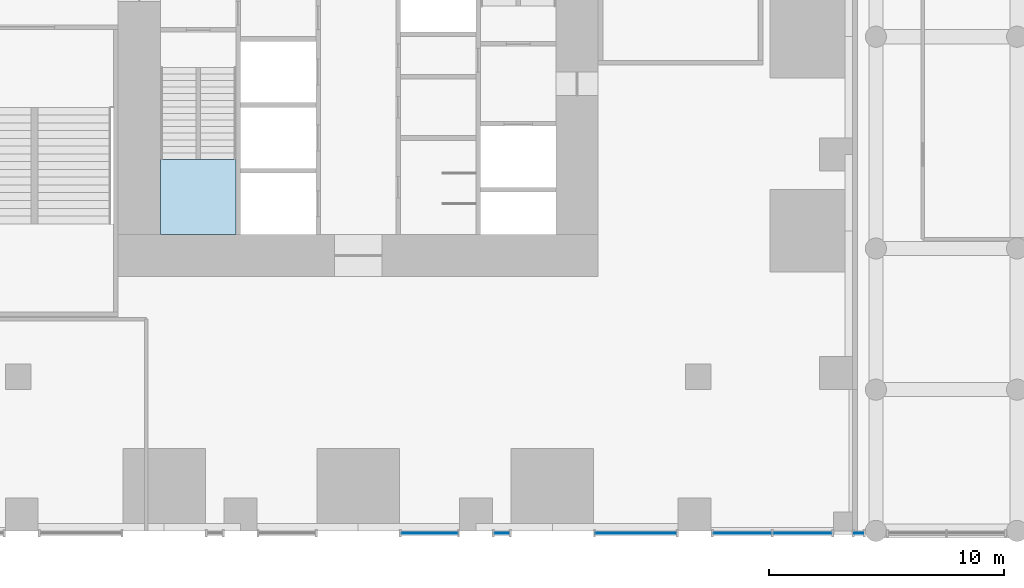
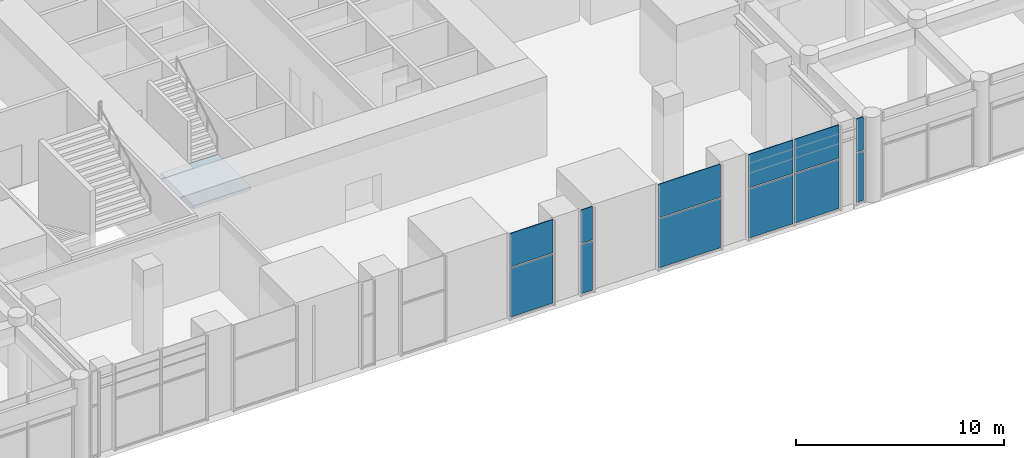
# One storey, part 12 of 23: 12 plates, 1 slab, 6 elements without a shape of their own.
"""IFC4 building model written with IfcOpenShell, lengths in metres."""

from ifc_helpers import new_model, si_unit, direction, frame, origin, origin_2d, place, context, subcontext, project, spatial, polyline, rectangle, outline, extrude, material, layer, layer_set, type_object, element, aggregate, save


model = new_model("IFC4")

# Units and contexts
model_context = context("Model", 3, precision=1e-05, world=origin(), true_north=direction((0.0, 1.0)))
body_context = subcontext(model_context, "Body", "Model", "MODEL_VIEW")
ifc_project = project(units=[si_unit("LENGTHUNIT", "METRE"), si_unit("AREAUNIT", "SQUARE_METRE"), si_unit("VOLUMEUNIT", "CUBIC_METRE"), si_unit("PLANEANGLEUNIT", "RADIAN"), si_unit("MASSUNIT", "GRAM", prefix="KILO")], contexts=[model_context])

# Site, building, storey
site_placement = place(None, origin())
site = spatial("IfcSite", under=ifc_project, at=site_placement, CompositionType="ELEMENT")
building_placement = place(site_placement, origin())
building = spatial("IfcBuilding", under=site, at=building_placement, Name="Svetlomir Tower", CompositionType="ELEMENT")
storey_placement = place(building_placement, frame((0.0, 0.0, 6.0)))
storey = spatial("IfcBuildingStorey", under=building, at=storey_placement, Name="L01", CompositionType="ELEMENT", Elevation=6.0)

# Curtain wall, plates
ifc_material_1 = material(Name="Bronze anodised aluminium curtain wall", Category="aluminium")
curtain_wall_type = type_object("IfcCurtainWallType", Name="CURTAIN WALL CW5 PODIUM", PredefinedType="NOTDEFINED", material=ifc_material_1)
curtain_wall_1_placement = place(storey_placement, origin())
curtain_wall_1 = element("IfcCurtainWall", 1, at=curtain_wall_1_placement, inside=storey, type_object=curtain_wall_type, Name="Curtain wall CW5 L01", PredefinedType="NOTDEFINED")
ifc_material_2 = material(Name="Tinted double glazed unit", Category="glass")
ifc_layer_1 = layer(ifc_material_2, 0.0400390625)
ifc_layer_set_1 = layer_set([ifc_layer_1], Name="Tinted double glazed unit")
plate_type = type_object("IfcPlateType", Name="CW5 GLAZED PANEL 40", PredefinedType="CURTAIN_PANEL", material=ifc_layer_set_1)
plate_1_placement = place(storey_placement, frame((24.02490234375, -0.10009765625, 0.080078125), z_axis=(0.0, 0.0, 1.0), x_axis=(1.0, 0.0, 0.0)))
plate_1 = element("IfcPlate", 2, at=plate_1_placement, type_object=plate_type, Name="CW5 panel 1.1", PredefinedType="CURTAIN_PANEL", context=body_context, shape_type="SweptSolid", body=[
    extrude(rectangle(XDim=2.389892578125, YDim=0.0400390625, at=origin_2d()), origin(), (0.0, 0.0, 1.0), 2.8798828125),
])
plate_2_placement = place(storey_placement, frame((24.02490234375, -0.10009765625, 3.0400390625), z_axis=(0.0, 0.0, 1.0), x_axis=(1.0, 0.0, 0.0)))
plate_2 = element("IfcPlate", 3, at=plate_2_placement, type_object=plate_type, Name="CW5 panel 1.2", PredefinedType="CURTAIN_PANEL", context=body_context, shape_type="SweptSolid", body=[
    extrude(rectangle(XDim=2.389892578125, YDim=0.0400390625, at=origin_2d()), origin(), (0.0, 0.0, 1.0), 1.9599609375),
])
aggregate(curtain_wall_1, [plate_1, plate_2])

curtain_wall_2_placement = place(storey_placement, origin())
curtain_wall_2 = element("IfcCurtainWall", 4, at=curtain_wall_2_placement, inside=storey, type_object=curtain_wall_type, Name="Curtain wall CW5 L01", PredefinedType="NOTDEFINED")
plate_3_placement = place(storey_placement, frame((27.10009765625, -0.10009765625, 0.080078125), z_axis=(0.0, 0.0, 1.0), x_axis=(1.0, 0.0, 0.0)))
plate_3 = element("IfcPlate", 5, at=plate_3_placement, type_object=plate_type, Name="CW5 panel 1.1", PredefinedType="CURTAIN_PANEL", context=body_context, shape_type="SweptSolid", body=[
    extrude(rectangle(XDim=0.639892578125, YDim=0.0400390625, at=origin_2d()), origin(), (0.0, 0.0, 1.0), 2.8798828125),
])
plate_4_placement = place(storey_placement, frame((27.10009765625, -0.10009765625, 3.0400390625), z_axis=(0.0, 0.0, 1.0), x_axis=(1.0, 0.0, 0.0)))
plate_4 = element("IfcPlate", 6, at=plate_4_placement, type_object=plate_type, Name="CW5 panel 1.2", PredefinedType="CURTAIN_PANEL", context=body_context, shape_type="SweptSolid", body=[
    extrude(rectangle(XDim=0.639892578125, YDim=0.0400390625, at=origin_2d()), origin(), (0.0, 0.0, 1.0), 1.9599609375),
])
aggregate(curtain_wall_2, [plate_3, plate_4])

curtain_wall_3_placement = place(storey_placement, origin())
curtain_wall_3 = element("IfcCurtainWall", 7, at=curtain_wall_3_placement, inside=storey, type_object=curtain_wall_type, Name="Curtain wall CW5 L01", PredefinedType="NOTDEFINED")
plate_5_placement = place(storey_placement, frame((32.800048828125, -0.10009765625, 0.080078125), z_axis=(0.0, 0.0, 1.0), x_axis=(1.0, 0.0, 0.0)))
plate_5 = element("IfcPlate", 8, at=plate_5_placement, type_object=plate_type, Name="CW5 panel 1.1", PredefinedType="CURTAIN_PANEL", context=body_context, shape_type="SweptSolid", body=[
    extrude(rectangle(XDim=3.43994140625, YDim=0.0400390625, at=origin_2d()), origin(), (0.0, 0.0, 1.0), 2.8798828125),
])
plate_6_placement = place(storey_placement, frame((32.800048828125, -0.10009765625, 3.0400390625), z_axis=(0.0, 0.0, 1.0), x_axis=(1.0, 0.0, 0.0)))
plate_6 = element("IfcPlate", 9, at=plate_6_placement, type_object=plate_type, Name="CW5 panel 1.2", PredefinedType="CURTAIN_PANEL", context=body_context, shape_type="SweptSolid", body=[
    extrude(rectangle(XDim=3.43994140625, YDim=0.0400390625, at=origin_2d()), origin(), (0.0, 0.0, 1.0), 1.9599609375),
])
aggregate(curtain_wall_3, [plate_5, plate_6])

curtain_wall_4_placement = place(storey_placement, origin())
curtain_wall_4 = element("IfcCurtainWall", 10, at=curtain_wall_4_placement, inside=storey, type_object=curtain_wall_type, Name="Curtain wall CW5 L01", PredefinedType="NOTDEFINED")
plate_7_placement = place(storey_placement, frame((37.320068359375, -0.10009765625, 0.080078125), z_axis=(0.0, 0.0, 1.0), x_axis=(1.0, 0.0, 0.0)))
plate_7 = element("IfcPlate", 11, at=plate_7_placement, type_object=plate_type, Name="CW5 panel 1.1", PredefinedType="CURTAIN_PANEL", context=body_context, shape_type="SweptSolid", body=[
    extrude(rectangle(XDim=2.47998046875, YDim=0.0400390625, at=origin_2d()), origin(), (0.0, 0.0, 1.0), 2.8798828125),
])
plate_8_placement = place(storey_placement, frame((37.320068359375, -0.10009765625, 3.0400390625), z_axis=(0.0, 0.0, 1.0), x_axis=(1.0, 0.0, 0.0)))
plate_8 = element("IfcPlate", 12, at=plate_8_placement, type_object=plate_type, Name="CW5 panel 1.2", PredefinedType="CURTAIN_PANEL", context=body_context, shape_type="SweptSolid", body=[
    extrude(rectangle(XDim=2.47998046875, YDim=0.0400390625, at=origin_2d()), origin(), (0.0, 0.0, 1.0), 1.9599609375),
])
plate_9_placement = place(storey_placement, frame((39.8798828125, -0.10009765625, 0.080078125), z_axis=(0.0, 0.0, 1.0), x_axis=(1.0, 0.0, 0.0)))
plate_9 = element("IfcPlate", 13, at=plate_9_placement, type_object=plate_type, Name="CW5 panel 2.1", PredefinedType="CURTAIN_PANEL", context=body_context, shape_type="SweptSolid", body=[
    extrude(rectangle(XDim=2.47998046875, YDim=0.0400390625, at=origin_2d()), origin(), (0.0, 0.0, 1.0), 2.8798828125),
])
plate_10_placement = place(storey_placement, frame((39.8798828125, -0.10009765625, 3.0400390625), z_axis=(0.0, 0.0, 1.0), x_axis=(1.0, 0.0, 0.0)))
plate_10 = element("IfcPlate", 14, at=plate_10_placement, type_object=plate_type, Name="CW5 panel 2.2", PredefinedType="CURTAIN_PANEL", context=body_context, shape_type="SweptSolid", body=[
    extrude(rectangle(XDim=2.47998046875, YDim=0.0400390625, at=origin_2d()), origin(), (0.0, 0.0, 1.0), 1.9599609375),
])
aggregate(curtain_wall_4, [plate_7, plate_8, plate_9, plate_10])

curtain_wall_5_placement = place(storey_placement, origin())
curtain_wall_5 = element("IfcCurtainWall", 15, at=curtain_wall_5_placement, inside=storey, type_object=curtain_wall_type, Name="Curtain wall CW5 L01", PredefinedType="NOTDEFINED")
plate_11_placement = place(storey_placement, frame((42.27490234375, -0.10009765625, 0.080078125), z_axis=(0.0, 0.0, 1.0), x_axis=(1.0, 0.0, 0.0)))
plate_11 = element("IfcPlate", 16, at=plate_11_placement, type_object=plate_type, Name="CW5 panel 1.1", PredefinedType="CURTAIN_PANEL", context=body_context, shape_type="SweptSolid", body=[
    extrude(rectangle(XDim=0.389892578125, YDim=0.0400390625, at=origin_2d()), origin(), (0.0, 0.0, 1.0), 2.8798828125),
])
plate_12_placement = place(storey_placement, frame((42.27490234375, -0.10009765625, 3.0400390625), z_axis=(0.0, 0.0, 1.0), x_axis=(1.0, 0.0, 0.0)))
plate_12 = element("IfcPlate", 17, at=plate_12_placement, type_object=plate_type, Name="CW5 panel 1.2", PredefinedType="CURTAIN_PANEL", context=body_context, shape_type="SweptSolid", body=[
    extrude(rectangle(XDim=0.389892578125, YDim=0.0400390625, at=origin_2d()), origin(), (0.0, 0.0, 1.0), 1.9599609375),
])
aggregate(curtain_wall_5, [plate_11, plate_12])

# Stair, slab
ifc_material_3 = material(Name="Concrete C60/75", Category="concrete")
stair_type = type_object("IfcStairType", Name="EXIT STAIR 3200 RISE 5000", PredefinedType="HALF_TURN_STAIR", material=ifc_material_3)
stair_placement = place(storey_placement, origin())
stair = element("IfcStair", 18, at=stair_placement, inside=storey, type_object=stair_type, Name="Stair S1 L01 to L02", PredefinedType="HALF_TURN_STAIR")
ifc_material_4 = material(Name="Concrete C60/75", Category="concrete")
ifc_layer_2 = layer(ifc_material_4, 0.199951171875)
ifc_layer_set_2 = layer_set([ifc_layer_2], Name="Concrete C60/75")
slab_type = type_object("IfcSlabType", Name="STAIR LANDING 200", PredefinedType="LANDING", material=ifc_layer_set_2)
slab_placement = place(storey_placement, frame((0.0, 0.0, 2.300048828125)))
slab = element("IfcSlab", 19, at=slab_placement, type_object=slab_type, Name="S1 landing 1", PredefinedType="LANDING", context=body_context, shape_type="SweptSolid", body=[
    extrude(outline(polyline([(12.60009765625, 12.60009765625), (15.800048828125, 12.60009765625), (15.800048828125, 15.780029296875), (12.60009765625, 15.780029296875), (12.60009765625, 12.60009765625)])), origin(), (0.0, 0.0, 1.0), 0.199951171875),
])
aggregate(stair, [slab])

save(model, "model.ifc")
